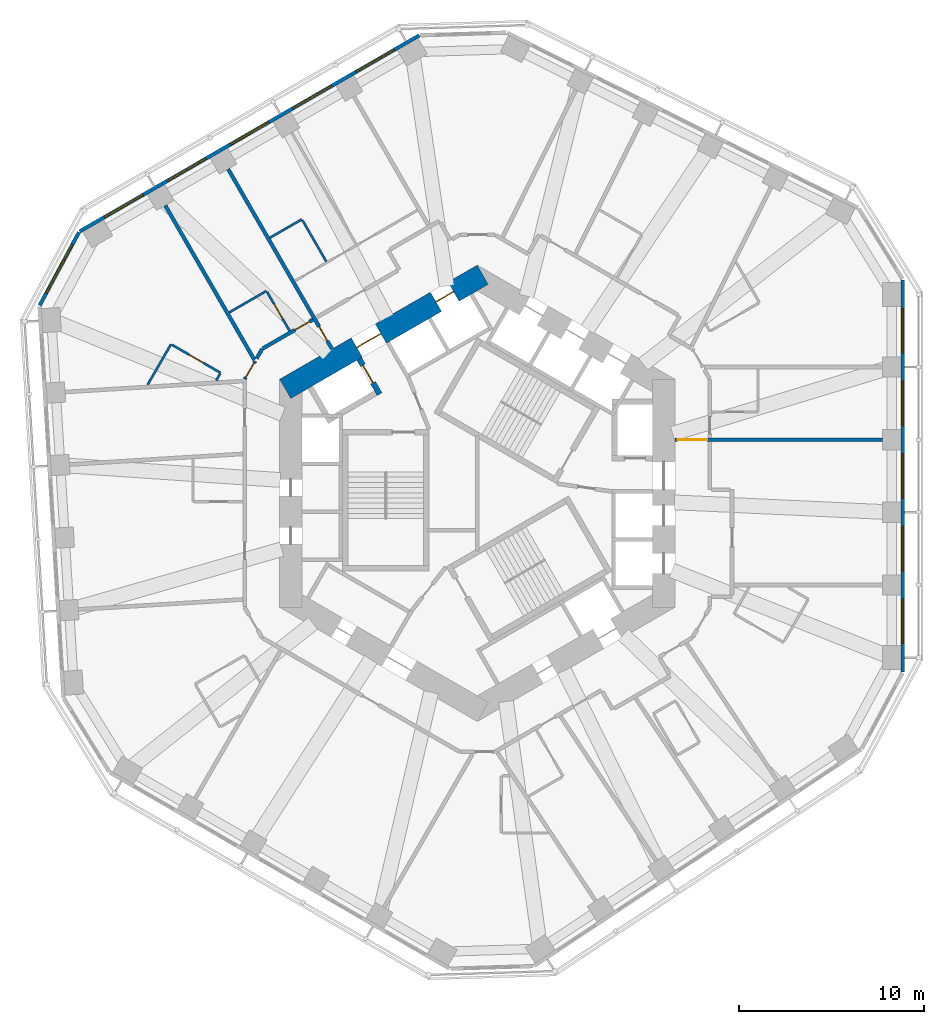
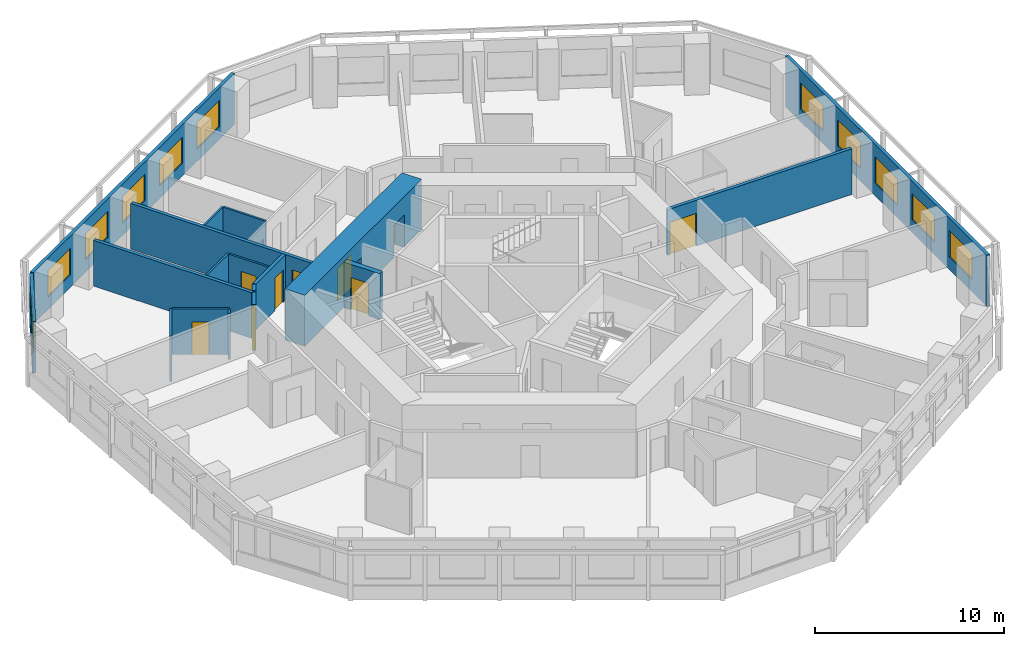
# One storey, part 7 of 12: 18 walls, 11 windows, 9 doors, 20 openings.
"""IFC4 building model written with IfcOpenShell, lengths in metres."""

from ifc_helpers import new_model, si_unit, direction, frame, frame_2d, origin, place, context, subcontext, project, spatial, rectangle, extrude, material, layer, layer_set, type_object, element, fill, save


model = new_model("IFC4")

# Units and contexts
model_context = context("Model", 3, precision=1e-05, world=origin(), true_north=direction((0.0, 1.0)))
body_context = subcontext(model_context, "Body", "Model", "MODEL_VIEW")
ifc_project = project(units=[si_unit("LENGTHUNIT", "METRE"), si_unit("AREAUNIT", "SQUARE_METRE"), si_unit("VOLUMEUNIT", "CUBIC_METRE"), si_unit("PLANEANGLEUNIT", "RADIAN"), si_unit("MASSUNIT", "GRAM", prefix="KILO")], contexts=[model_context])

# Site, building, storey
site_placement = place(None, origin())
site = spatial("IfcSite", under=ifc_project, at=site_placement, CompositionType="ELEMENT")
building_placement = place(site_placement, origin())
building = spatial("IfcBuilding", under=site, at=building_placement, Name="Vanh Sen Convention Tower", CompositionType="ELEMENT")
storey_placement = place(building_placement, frame((0.0, 0.0, 116.60009765625)))
storey = spatial("IfcBuildingStorey", under=building, at=storey_placement, Name="L28", CompositionType="ELEMENT", Elevation=116.60009765625)

# Wall
ifc_material_1 = material(Name="Moisture-resistant gypsum board on steel studs", Category="steel")
ifc_layer_1 = layer(ifc_material_1, 0.1201171875)
ifc_layer_set_1 = layer_set([ifc_layer_1], Name="Moisture-resistant gypsum board on steel studs")
wall_type_1 = type_object("IfcWallType", Name="Bathroom partition 120", PredefinedType="PARTITIONING", material=ifc_layer_set_1)
wall_1_placement = place(storey_placement, frame((-17.849365234375, 5.885498046875, 0.0), z_axis=(0.0, 0.0, 1.0), x_axis=(0.500034589094, 0.866005432841, 0.0)))
element("IfcWall", 1, at=wall_1_placement, inside=storey, type_object=wall_type_1, Name="Bathroom partition 120", PredefinedType="PARTITIONING", context=body_context, shape_type="SweptSolid", body=[
    extrude(rectangle(XDim=2.527587890625, YDim=0.1201171875, at=frame_2d((1.263671875, 0.0))), origin(), (0.0, 0.0, 1.0), 2.949951171875),
])

# Wall, opening, door
wall_2_placement = place(storey_placement, frame((-16.533447265625, 8.04443359375, 0.0), z_axis=(0.0, 0.0, 1.0), x_axis=(0.86601037836, -0.500026023896, 0.0)))
wall_2 = element("IfcWall", 2, at=wall_2_placement, inside=storey, type_object=wall_type_1, Name="Bathroom partition 120", PredefinedType="PARTITIONING", context=body_context, shape_type="SweptSolid", body=[
    extrude(rectangle(XDim=3.039794921875, YDim=0.1201171875, at=frame_2d((1.52001953125, 0.0))), origin(), (0.0, 0.0, 1.0), 2.949951171875),
])
opening_1_placement = place(wall_2_placement, frame((1.070068359375, 0.0, 0.0)))
opening_1 = element("IfcOpeningElement", 3, at=opening_1_placement, cuts=wall_2, Name="Opening D27117", PredefinedType="OPENING", context=body_context, shape_type="SweptSolid", body=[
    extrude(rectangle(XDim=0.89990234375, YDim=2.10009765625, at=frame_2d((0.449951171875, 1.050048828125))), frame((0.0, 0.070068359375, 0.0), z_axis=(0.0, -1.0, 0.0), x_axis=(1.0, 0.0, 0.0)), (0.0, 0.0, 1.0), 0.14013671875),
])
ifc_material_2 = material(Name="Laminate door in steel frame", Category="steel")
door_type_1 = type_object("IfcDoorType", Name="En-suite door 900", OperationType="SINGLE_SWING_LEFT", PredefinedType="DOOR", material=ifc_material_2)
door_1_placement = place(opening_1_placement, origin())
door_1 = element("IfcDoor", 4, at=door_1_placement, inside=storey, type_object=door_type_1, Name="En-suite door D27117", OperationType="SINGLE_SWING_LEFT", OverallHeight=2.10009765625, OverallWidth=0.89990234375, PredefinedType="DOOR", context=body_context, shape_type="SweptSolid", body=[
    extrude(rectangle(XDim=0.89990234375, YDim=2.10009765625, at=frame_2d((0.449951171875, 1.050048828125))), frame((0.0, 0.02490234375, 0.0), z_axis=(0.0, -1.0, 0.0), x_axis=(1.0, 0.0, 0.0)), (0.0, 0.0, 1.0), 0.050048828125),
])
fill(opening_1, door_1)

# Walls
wall_3_placement = place(storey_placement, frame((-13.930908203125, 6.472412109375, 0.0), z_axis=(0.0, 0.0, 1.0), x_axis=(-0.499739399214, -0.866175809448, 0.0)))
element("IfcWall", 5, at=wall_3_placement, inside=storey, type_object=wall_type_1, Name="Bathroom partition 120", PredefinedType="PARTITIONING", context=body_context, shape_type="SweptSolid", body=[
    extrude(rectangle(XDim=0.415771484375, YDim=0.1201171875, at=frame_2d((0.2080078125, 0.0))), origin(), (0.0, 0.0, 1.0), 2.949951171875),
])
wall_4_placement = place(storey_placement, frame((-13.436279296875, 9.7939453125, 0.0), z_axis=(0.0, 0.0, 1.0), x_axis=(0.866053246676, 0.499951771596, 0.0)))
element("IfcWall", 6, at=wall_4_placement, inside=storey, type_object=wall_type_1, Name="Bathroom partition 120", PredefinedType="PARTITIONING", context=body_context, shape_type="SweptSolid", body=[
    extrude(rectangle(XDim=2.334716796875, YDim=0.1201171875, at=frame_2d((1.16748046875, 0.0))), origin(), (0.0, 0.0, 1.0), 2.949951171875),
])

# Wall, opening, door
wall_5_placement = place(storey_placement, frame((-11.384521484375, 10.9091796875, 0.0), z_axis=(0.0, 0.0, 1.0), x_axis=(0.500077547548, -0.865980627057, 0.0)))
wall_5 = element("IfcWall", 7, at=wall_5_placement, inside=storey, type_object=wall_type_1, Name="Bathroom partition 120", PredefinedType="PARTITIONING", context=body_context, shape_type="SweptSolid", body=[
    extrude(rectangle(XDim=2.43994140625, YDim=0.1201171875, at=frame_2d((1.219970703125, 0.0))), origin(), (0.0, 0.0, 1.0), 2.949951171875),
])
opening_2_placement = place(wall_5_placement, frame((0.77001953125, 0.0, 0.0)))
opening_2 = element("IfcOpeningElement", 8, at=opening_2_placement, cuts=wall_5, Name="Opening D27115", PredefinedType="OPENING", context=body_context, shape_type="SweptSolid", body=[
    extrude(rectangle(XDim=0.89990234375, YDim=2.10009765625, at=frame_2d((0.449951171875, 1.050048828125))), frame((0.0, 0.070068359375, 0.0), z_axis=(0.0, -1.0, 0.0), x_axis=(1.0, 0.0, 0.0)), (0.0, 0.0, 1.0), 0.14013671875),
])
door_2_placement = place(opening_2_placement, origin())
door_2 = element("IfcDoor", 9, at=door_2_placement, inside=storey, type_object=door_type_1, Name="En-suite door D27115", OperationType="SINGLE_SWING_LEFT", OverallHeight=2.10009765625, OverallWidth=0.89990234375, PredefinedType="DOOR", context=body_context, shape_type="SweptSolid", body=[
    extrude(rectangle(XDim=0.89990234375, YDim=2.10009765625, at=frame_2d((0.449951171875, 1.050048828125))), frame((0.0, 0.02490234375, 0.0), z_axis=(0.0, -1.0, 0.0), x_axis=(1.0, 0.0, 0.0)), (0.0, 0.0, 1.0), 0.050048828125),
])
fill(opening_2, door_2)

# Walls
wall_6_placement = place(storey_placement, frame((-9.49658203125, 14.83984375, 0.0), z_axis=(0.0, 0.0, 1.0), x_axis=(-0.866041268327, -0.499972520799, 0.0)))
element("IfcWall", 10, at=wall_6_placement, inside=storey, type_object=wall_type_1, Name="Bathroom partition 120", PredefinedType="PARTITIONING", context=body_context, shape_type="SweptSolid", body=[
    extrude(rectangle(XDim=2.0, YDim=0.1201171875, at=frame_2d((1.0, 0.0))), origin(), (0.0, 0.0, 1.0), 2.949951171875),
])
wall_7_placement = place(storey_placement, frame((-8.1767578125, 12.553466796875, 0.0), z_axis=(0.0, 0.0, 1.0), x_axis=(-0.500006411147, 0.866021702275, 0.0)))
element("IfcWall", 11, at=wall_7_placement, inside=storey, type_object=wall_type_1, Name="Bathroom partition 120", PredefinedType="PARTITIONING", context=body_context, shape_type="SweptSolid", body=[
    extrude(rectangle(XDim=2.580078125, YDim=0.1201171875, at=frame_2d((1.2900390625, 0.0))), origin(), (0.0, 0.0, 1.0), 2.949951171875),
])

# Wall, openings, doors
ifc_material_3 = material(Name="Concrete C80/95", Category="concrete")
ifc_layer_2 = layer(ifc_material_3, 1.199951171875)
ifc_layer_set_2 = layer_set([ifc_layer_2], Name="Concrete C80/95")
wall_type_2 = type_object("IfcWallType", Name="Core outer wall 1200 C80/95", PredefinedType="SHEAR", material=ifc_layer_set_2)
wall_8_placement = place(storey_placement, frame((0.300048828125, 11.835693359375, 0.0), z_axis=(0.0, 0.0, 1.0), x_axis=(-0.866021384402, -0.500006961711, 0.0)))
wall_8 = element("IfcWall", 12, at=wall_8_placement, inside=storey, type_object=wall_type_2, Name="Core wall face NW L28", PredefinedType="SHEAR", context=body_context, shape_type="SweptSolid", body=[
    extrude(rectangle(XDim=12.355224609375, YDim=1.199951171875, at=frame_2d((6.177734375, 0.0))), origin(), (0.0, 0.0, 1.0), 3.2998046875),
])
opening_3_placement = place(wall_8_placement, frame((6.377685546875, 0.0, 0.0)))
opening_3 = element("IfcOpeningElement", 13, at=opening_3_placement, cuts=wall_8, Name="Opening D27002", PredefinedType="OPENING", context=body_context, shape_type="SweptSolid", body=[
    extrude(rectangle(XDim=1.5, YDim=2.10009765625, at=frame_2d((0.75, 1.050048828125))), frame((0.0, 0.60986328125, 0.0), z_axis=(0.0, -1.0, 0.0), x_axis=(1.0, 0.0, 0.0)), (0.0, 0.0, 1.0), 1.219970703125),
])
opening_4_placement = place(wall_8_placement, frame((1.82763671875, 0.0, 0.0)))
opening_4 = element("IfcOpeningElement", 14, at=opening_4_placement, cuts=wall_8, Name="Opening LD-LR6", PredefinedType="OPENING", context=body_context, shape_type="SweptSolid", body=[
    extrude(rectangle(XDim=1.10009765625, YDim=2.10009765625, at=frame_2d((0.550048828125, 1.050048828125))), frame((0.0, 0.60986328125, 0.0), z_axis=(0.0, -1.0, 0.0), x_axis=(1.0, 0.0, 0.0)), (0.0, 0.0, 1.0), 1.219970703125),
])
ifc_material_4 = material(Name="Stainless steel", Category="steel")
door_type_2 = type_object("IfcDoorType", Name="Lift landing door 1100", OperationType="DOUBLE_DOOR_SLIDING", PredefinedType="DOOR", material=ifc_material_4)
door_3_placement = place(opening_4_placement, origin())
door_3 = element("IfcDoor", 15, at=door_3_placement, inside=storey, type_object=door_type_2, Name="Lift LR6 landing door LD-LR6", OperationType="DOUBLE_DOOR_SLIDING", OverallHeight=2.10009765625, OverallWidth=1.10009765625, PredefinedType="DOOR", context=body_context, shape_type="SweptSolid", body=[
    extrude(rectangle(XDim=1.10009765625, YDim=2.10009765625, at=frame_2d((0.550048828125, 1.050048828125))), frame((0.0, 0.02490234375, 0.0), z_axis=(0.0, -1.0, 0.0), x_axis=(1.0, 0.0, 0.0)), (0.0, 0.0, 1.0), 0.050048828125),
])
fill(opening_4, door_3)
ifc_material_5 = material(Name="Steel S355", Category="steel")
door_type_3 = type_object("IfcDoorType", Name="Stair lobby door 1500", OperationType="DOUBLE_DOOR_SINGLE_SWING", PredefinedType="DOOR", material=ifc_material_5)
door_4_placement = place(opening_3_placement, origin())
door_4 = element("IfcDoor", 16, at=door_4_placement, inside=storey, type_object=door_type_3, Name="Stair lobby door D27002", OperationType="DOUBLE_DOOR_SINGLE_SWING", OverallHeight=2.10009765625, OverallWidth=1.5, PredefinedType="DOOR", context=body_context, shape_type="SweptSolid", body=[
    extrude(rectangle(XDim=1.5, YDim=2.10009765625, at=frame_2d((0.75, 1.050048828125))), frame((0.0, 0.02490234375, 0.0), z_axis=(0.0, -1.0, 0.0), x_axis=(1.0, 0.0, 0.0)), (0.0, 0.0, 1.0), 0.050048828125),
])
fill(opening_3, door_4)

# Wall, opening, door
ifc_material_6 = material(Name="Gypsum board on steel studs with mineral wool", Category="steel")
ifc_layer_3 = layer(ifc_material_6, 0.199951171875)
ifc_layer_set_3 = layer_set([ifc_layer_3], Name="Gypsum board on steel studs with mineral wool")
wall_type_3 = type_object("IfcWallType", Name="Corridor partition wall 200", PredefinedType="PARTITIONING", material=ifc_layer_set_3)
wall_9_placement = place(storey_placement, frame((-12.031982421875, 7.16162109375, 0.0), z_axis=(0.0, 0.0, 1.0), x_axis=(-0.499951829968, -0.866053212979, 0.0)))
wall_9 = element("IfcWall", 17, at=wall_9_placement, inside=storey, type_object=wall_type_3, Name="Corridor partition wall 200", PredefinedType="PARTITIONING", context=body_context, shape_type="SweptSolid", body=[
    extrude(rectangle(XDim=1.13623046875, YDim=0.199951171875, at=frame_2d((0.568115234375, 0.0))), origin(), (0.0, 0.0, 1.0), 2.949951171875),
])
opening_5_placement = place(wall_9_placement, frame((0.1181640625, 0.0, 0.0)))
opening_5 = element("IfcOpeningElement", 18, at=opening_5_placement, cuts=wall_9, Name="Opening D27116", PredefinedType="OPENING", context=body_context, shape_type="SweptSolid", body=[
    extrude(rectangle(XDim=0.89990234375, YDim=2.10009765625, at=frame_2d((0.449951171875, 1.050048828125))), frame((0.0, 0.10986328125, 0.0), z_axis=(0.0, -1.0, 0.0), x_axis=(1.0, 0.0, 0.0)), (0.0, 0.0, 1.0), 0.219970703125),
])
ifc_material_7 = material(Name="Timber fire door in steel frame", Category="steel")
door_type_4 = type_object("IfcDoorType", Name="Guest room door 900", OperationType="SINGLE_SWING_LEFT", PredefinedType="DOOR", material=ifc_material_7)
door_5_placement = place(opening_5_placement, origin())
door_5 = element("IfcDoor", 19, at=door_5_placement, inside=storey, type_object=door_type_4, Name="Hotel guest room door D27116", OperationType="SINGLE_SWING_LEFT", OverallHeight=2.10009765625, OverallWidth=0.89990234375, PredefinedType="DOOR", context=body_context, shape_type="SweptSolid", body=[
    extrude(rectangle(XDim=0.89990234375, YDim=2.10009765625, at=frame_2d((0.449951171875, 1.050048828125))), frame((0.0, 0.02490234375, 0.0), z_axis=(0.0, -1.0, 0.0), x_axis=(1.0, 0.0, 0.0)), (0.0, 0.0, 1.0), 0.050048828125),
])
fill(opening_5, door_5)

# Wall
wall_10_placement = place(storey_placement, frame((-11.64990234375, 7.822998046875, 0.0), z_axis=(0.0, 0.0, 1.0), x_axis=(-0.50012165622, -0.865955154139, 0.0)))
element("IfcWall", 20, at=wall_10_placement, inside=storey, type_object=wall_type_3, Name="Corridor partition wall 200", PredefinedType="PARTITIONING", context=body_context, shape_type="SweptSolid", body=[
    extrude(rectangle(XDim=0.599853515625, YDim=0.199951171875, at=frame_2d((0.2998046875, 0.0))), origin(), (0.0, 0.0, 1.0), 2.949951171875),
])

# Wall, opening, door
wall_11_placement = place(storey_placement, frame((-8.902099609375, 9.40966796875, 0.0), z_axis=(0.0, 0.0, 1.0), x_axis=(-0.866014299198, -0.500019233215, 0.0)))
wall_11 = element("IfcWall", 21, at=wall_11_placement, inside=storey, type_object=wall_type_3, Name="Corridor partition wall 200", PredefinedType="PARTITIONING", context=body_context, shape_type="SweptSolid", body=[
    extrude(rectangle(XDim=3.13330078125, YDim=0.199951171875, at=frame_2d((1.566650390625, 0.0))), origin(), (0.0, 0.0, 1.0), 2.949951171875),
])
opening_6_placement = place(wall_11_placement, frame((0.22509765625, 0.0, 0.0)))
opening_6 = element("IfcOpeningElement", 22, at=opening_6_placement, cuts=wall_11, Name="Opening D27114", PredefinedType="OPENING", context=body_context, shape_type="SweptSolid", body=[
    extrude(rectangle(XDim=0.89990234375, YDim=2.10009765625, at=frame_2d((0.449951171875, 1.050048828125))), frame((0.0, 0.10986328125, 0.0), z_axis=(0.0, -1.0, 0.0), x_axis=(1.0, 0.0, 0.0)), (0.0, 0.0, 1.0), 0.219970703125),
])
door_6_placement = place(opening_6_placement, origin())
door_6 = element("IfcDoor", 23, at=door_6_placement, inside=storey, type_object=door_type_4, Name="Hotel guest room door D27114", OperationType="SINGLE_SWING_LEFT", OverallHeight=2.10009765625, OverallWidth=0.89990234375, PredefinedType="DOOR", context=body_context, shape_type="SweptSolid", body=[
    extrude(rectangle(XDim=0.89990234375, YDim=2.10009765625, at=frame_2d((0.449951171875, 1.050048828125))), frame((0.0, 0.02490234375, 0.0), z_axis=(0.0, -1.0, 0.0), x_axis=(1.0, 0.0, 0.0)), (0.0, 0.0, 1.0), 0.050048828125),
])
fill(opening_6, door_6)

# Wall, openings, windows
ifc_material_8 = material(Name="Insulated lightweight infill wall")
ifc_layer_4 = layer(ifc_material_8, 0.199951171875)
ifc_layer_set_4 = layer_set([ifc_layer_4], Name="Insulated lightweight infill wall")
wall_type_4 = type_object("IfcWallType", Name="External wall 200", PredefinedType="STANDARD", material=ifc_layer_set_4)
wall_12_placement = place(storey_placement, frame((23.050048828125, -9.6865234375, 0.0), z_axis=(0.0, 0.0, 1.0), x_axis=(0.0, 1.0, 0.0)))
wall_12 = element("IfcWall", 24, at=wall_12_placement, inside=storey, type_object=wall_type_4, Name="External wall E L28", PredefinedType="STANDARD", context=body_context, shape_type="SweptSolid", body=[
    extrude(rectangle(XDim=21.24609375, YDim=0.199951171875, at=frame_2d((10.623046875, 0.0))), origin(), (0.0, 0.0, 1.0), 3.2998046875),
])
opening_7_placement = place(wall_12_placement, frame((1.5546875, 0.0, 0.800048828125)))
opening_7 = element("IfcOpeningElement", 25, at=opening_7_placement, cuts=wall_12, Name="Opening WH1-E1", PredefinedType="OPENING", context=body_context, shape_type="SweptSolid", body=[
    extrude(rectangle(XDim=2.39990234375, YDim=1.699951171875, at=frame_2d((1.199951171875, 0.85009765625))), frame((0.0, 0.10986328125, 0.0), z_axis=(0.0, -1.0, 0.0), x_axis=(1.0, 0.0, 0.0)), (0.0, 0.0, 1.0), 0.219970703125),
])
opening_8_placement = place(wall_12_placement, frame((5.4892578125, 0.0, 0.800048828125)))
opening_8 = element("IfcOpeningElement", 26, at=opening_8_placement, cuts=wall_12, Name="Opening WH1-E2", PredefinedType="OPENING", context=body_context, shape_type="SweptSolid", body=[
    extrude(rectangle(XDim=2.39990234375, YDim=1.699951171875, at=frame_2d((1.199951171875, 0.85009765625))), frame((0.0, 0.10986328125, 0.0), z_axis=(0.0, -1.0, 0.0), x_axis=(1.0, 0.0, 0.0)), (0.0, 0.0, 1.0), 0.219970703125),
])
opening_9_placement = place(wall_12_placement, frame((9.423828125, 0.0, 0.800048828125)))
opening_9 = element("IfcOpeningElement", 27, at=opening_9_placement, cuts=wall_12, Name="Opening WH1-E3", PredefinedType="OPENING", context=body_context, shape_type="SweptSolid", body=[
    extrude(rectangle(XDim=2.39990234375, YDim=1.699951171875, at=frame_2d((1.199951171875, 0.85009765625))), frame((0.0, 0.10986328125, 0.0), z_axis=(0.0, -1.0, 0.0), x_axis=(1.0, 0.0, 0.0)), (0.0, 0.0, 1.0), 0.219970703125),
])
opening_10_placement = place(wall_12_placement, frame((13.3583984375, 0.0, 0.800048828125)))
opening_10 = element("IfcOpeningElement", 28, at=opening_10_placement, cuts=wall_12, Name="Opening WH1-E4", PredefinedType="OPENING", context=body_context, shape_type="SweptSolid", body=[
    extrude(rectangle(XDim=2.39990234375, YDim=1.699951171875, at=frame_2d((1.199951171875, 0.85009765625))), frame((0.0, 0.10986328125, 0.0), z_axis=(0.0, -1.0, 0.0), x_axis=(1.0, 0.0, 0.0)), (0.0, 0.0, 1.0), 0.219970703125),
])
opening_11_placement = place(wall_12_placement, frame((17.29296875, 0.0, 0.800048828125)))
opening_11 = element("IfcOpeningElement", 29, at=opening_11_placement, cuts=wall_12, Name="Opening WH1-E5", PredefinedType="OPENING", context=body_context, shape_type="SweptSolid", body=[
    extrude(rectangle(XDim=2.39990234375, YDim=1.699951171875, at=frame_2d((1.199951171875, 0.85009765625))), frame((0.0, 0.10986328125, 0.0), z_axis=(0.0, -1.0, 0.0), x_axis=(1.0, 0.0, 0.0)), (0.0, 0.0, 1.0), 0.219970703125),
])
ifc_material_9 = material(Name="Aluminium frame with clear low-emissivity glass", Category="aluminium")
window_type_1 = type_object("IfcWindowType", Name="Hotel window 2400 x 1700", PartitioningType="SINGLE_PANEL", PredefinedType="WINDOW", material=ifc_material_9)
window_1_placement = place(opening_7_placement, origin())
window_1 = element("IfcWindow", 30, at=window_1_placement, inside=storey, type_object=window_type_1, Name="Window WH1-E1", OverallHeight=1.699951171875, OverallWidth=2.39990234375, PartitioningType="SINGLE_PANEL", PredefinedType="WINDOW", context=body_context, shape_type="SweptSolid", body=[
    extrude(rectangle(XDim=2.39990234375, YDim=1.699951171875, at=frame_2d((1.199951171875, 0.85009765625))), frame((0.0, 0.030029296875, 0.0), z_axis=(0.0, -1.0, 0.0), x_axis=(1.0, 0.0, 0.0)), (0.0, 0.0, 1.0), 0.06005859375),
])
fill(opening_7, window_1)
window_2_placement = place(opening_8_placement, origin())
window_2 = element("IfcWindow", 31, at=window_2_placement, inside=storey, type_object=window_type_1, Name="Window WH1-E2", OverallHeight=1.699951171875, OverallWidth=2.39990234375, PartitioningType="SINGLE_PANEL", PredefinedType="WINDOW", context=body_context, shape_type="SweptSolid", body=[
    extrude(rectangle(XDim=2.39990234375, YDim=1.699951171875, at=frame_2d((1.199951171875, 0.85009765625))), frame((0.0, 0.030029296875, 0.0), z_axis=(0.0, -1.0, 0.0), x_axis=(1.0, 0.0, 0.0)), (0.0, 0.0, 1.0), 0.06005859375),
])
fill(opening_8, window_2)
window_3_placement = place(opening_9_placement, origin())
window_3 = element("IfcWindow", 32, at=window_3_placement, inside=storey, type_object=window_type_1, Name="Window WH1-E3", OverallHeight=1.699951171875, OverallWidth=2.39990234375, PartitioningType="SINGLE_PANEL", PredefinedType="WINDOW", context=body_context, shape_type="SweptSolid", body=[
    extrude(rectangle(XDim=2.39990234375, YDim=1.699951171875, at=frame_2d((1.199951171875, 0.85009765625))), frame((0.0, 0.030029296875, 0.0), z_axis=(0.0, -1.0, 0.0), x_axis=(1.0, 0.0, 0.0)), (0.0, 0.0, 1.0), 0.06005859375),
])
fill(opening_9, window_3)
window_4_placement = place(opening_10_placement, origin())
window_4 = element("IfcWindow", 33, at=window_4_placement, inside=storey, type_object=window_type_1, Name="Window WH1-E4", OverallHeight=1.699951171875, OverallWidth=2.39990234375, PartitioningType="SINGLE_PANEL", PredefinedType="WINDOW", context=body_context, shape_type="SweptSolid", body=[
    extrude(rectangle(XDim=2.39990234375, YDim=1.699951171875, at=frame_2d((1.199951171875, 0.85009765625))), frame((0.0, 0.030029296875, 0.0), z_axis=(0.0, -1.0, 0.0), x_axis=(1.0, 0.0, 0.0)), (0.0, 0.0, 1.0), 0.06005859375),
])
fill(opening_10, window_4)
window_5_placement = place(opening_11_placement, origin())
window_5 = element("IfcWindow", 34, at=window_5_placement, inside=storey, type_object=window_type_1, Name="Window WH1-E5", OverallHeight=1.699951171875, OverallWidth=2.39990234375, PartitioningType="SINGLE_PANEL", PredefinedType="WINDOW", context=body_context, shape_type="SweptSolid", body=[
    extrude(rectangle(XDim=2.39990234375, YDim=1.699951171875, at=frame_2d((1.199951171875, 0.85009765625))), frame((0.0, 0.030029296875, 0.0), z_axis=(0.0, -1.0, 0.0), x_axis=(1.0, 0.0, 0.0)), (0.0, 0.0, 1.0), 0.06005859375),
])
fill(opening_11, window_5)

wall_13_placement = place(storey_placement, frame((-3.135986328125, 24.80517578125, 0.0), z_axis=(0.0, 0.0, 1.0), x_axis=(-0.866028291626, -0.499994998079, 0.0)))
wall_13 = element("IfcWall", 35, at=wall_13_placement, inside=storey, type_object=wall_type_4, Name="External wall NW L28", PredefinedType="STANDARD", context=body_context, shape_type="SweptSolid", body=[
    extrude(rectangle(XDim=21.246337890625, YDim=0.199951171875, at=frame_2d((10.623046875, 0.0))), origin(), (0.0, 0.0, 1.0), 3.2998046875),
])
opening_12_placement = place(wall_13_placement, frame((1.5546875, 0.0, 0.800048828125)))
opening_12 = element("IfcOpeningElement", 36, at=opening_12_placement, cuts=wall_13, Name="Opening WH1-NW1", PredefinedType="OPENING", context=body_context, shape_type="SweptSolid", body=[
    extrude(rectangle(XDim=2.39990234375, YDim=1.699951171875, at=frame_2d((1.199951171875, 0.85009765625))), frame((0.0, 0.10986328125, 0.0), z_axis=(0.0, -1.0, 0.0), x_axis=(1.0, 0.0, 0.0)), (0.0, 0.0, 1.0), 0.219970703125),
])
opening_13_placement = place(wall_13_placement, frame((5.4892578125, 0.0, 0.800048828125)))
opening_13 = element("IfcOpeningElement", 37, at=opening_13_placement, cuts=wall_13, Name="Opening WH1-NW2", PredefinedType="OPENING", context=body_context, shape_type="SweptSolid", body=[
    extrude(rectangle(XDim=2.39990234375, YDim=1.699951171875, at=frame_2d((1.199951171875, 0.85009765625))), frame((0.0, 0.10986328125, 0.0), z_axis=(0.0, -1.0, 0.0), x_axis=(1.0, 0.0, 0.0)), (0.0, 0.0, 1.0), 0.219970703125),
])
opening_14_placement = place(wall_13_placement, frame((9.423828125, 0.0, 0.800048828125)))
opening_14 = element("IfcOpeningElement", 38, at=opening_14_placement, cuts=wall_13, Name="Opening WH1-NW3", PredefinedType="OPENING", context=body_context, shape_type="SweptSolid", body=[
    extrude(rectangle(XDim=2.39990234375, YDim=1.699951171875, at=frame_2d((1.199951171875, 0.85009765625))), frame((0.0, 0.10986328125, 0.0), z_axis=(0.0, -1.0, 0.0), x_axis=(1.0, 0.0, 0.0)), (0.0, 0.0, 1.0), 0.219970703125),
])
opening_15_placement = place(wall_13_placement, frame((13.3583984375, 0.0, 0.800048828125)))
opening_15 = element("IfcOpeningElement", 39, at=opening_15_placement, cuts=wall_13, Name="Opening WH1-NW4", PredefinedType="OPENING", context=body_context, shape_type="SweptSolid", body=[
    extrude(rectangle(XDim=2.39990234375, YDim=1.699951171875, at=frame_2d((1.199951171875, 0.85009765625))), frame((0.0, 0.10986328125, 0.0), z_axis=(0.0, -1.0, 0.0), x_axis=(1.0, 0.0, 0.0)), (0.0, 0.0, 1.0), 0.219970703125),
])
opening_16_placement = place(wall_13_placement, frame((17.293212890625, 0.0, 0.800048828125)))
opening_16 = element("IfcOpeningElement", 40, at=opening_16_placement, cuts=wall_13, Name="Opening WH1-NW5", PredefinedType="OPENING", context=body_context, shape_type="SweptSolid", body=[
    extrude(rectangle(XDim=2.39990234375, YDim=1.699951171875, at=frame_2d((1.199951171875, 0.85009765625))), frame((0.0, 0.10986328125, 0.0), z_axis=(0.0, -1.0, 0.0), x_axis=(1.0, 0.0, 0.0)), (0.0, 0.0, 1.0), 0.219970703125),
])
window_6_placement = place(opening_12_placement, origin())
window_6 = element("IfcWindow", 41, at=window_6_placement, inside=storey, type_object=window_type_1, Name="Window WH1-NW1", OverallHeight=1.699951171875, OverallWidth=2.39990234375, PartitioningType="SINGLE_PANEL", PredefinedType="WINDOW", context=body_context, shape_type="SweptSolid", body=[
    extrude(rectangle(XDim=2.39990234375, YDim=1.699951171875, at=frame_2d((1.199951171875, 0.85009765625))), frame((0.0, 0.030029296875, 0.0), z_axis=(0.0, -1.0, 0.0), x_axis=(1.0, 0.0, 0.0)), (0.0, 0.0, 1.0), 0.06005859375),
])
fill(opening_12, window_6)
window_7_placement = place(opening_13_placement, origin())
window_7 = element("IfcWindow", 42, at=window_7_placement, inside=storey, type_object=window_type_1, Name="Window WH1-NW2", OverallHeight=1.699951171875, OverallWidth=2.39990234375, PartitioningType="SINGLE_PANEL", PredefinedType="WINDOW", context=body_context, shape_type="SweptSolid", body=[
    extrude(rectangle(XDim=2.39990234375, YDim=1.699951171875, at=frame_2d((1.199951171875, 0.85009765625))), frame((0.0, 0.030029296875, 0.0), z_axis=(0.0, -1.0, 0.0), x_axis=(1.0, 0.0, 0.0)), (0.0, 0.0, 1.0), 0.06005859375),
])
fill(opening_13, window_7)
window_8_placement = place(opening_14_placement, origin())
window_8 = element("IfcWindow", 43, at=window_8_placement, inside=storey, type_object=window_type_1, Name="Window WH1-NW3", OverallHeight=1.699951171875, OverallWidth=2.39990234375, PartitioningType="SINGLE_PANEL", PredefinedType="WINDOW", context=body_context, shape_type="SweptSolid", body=[
    extrude(rectangle(XDim=2.39990234375, YDim=1.699951171875, at=frame_2d((1.199951171875, 0.85009765625))), frame((0.0, 0.030029296875, 0.0), z_axis=(0.0, -1.0, 0.0), x_axis=(1.0, 0.0, 0.0)), (0.0, 0.0, 1.0), 0.06005859375),
])
fill(opening_14, window_8)
window_9_placement = place(opening_15_placement, origin())
window_9 = element("IfcWindow", 44, at=window_9_placement, inside=storey, type_object=window_type_1, Name="Window WH1-NW4", OverallHeight=1.699951171875, OverallWidth=2.39990234375, PartitioningType="SINGLE_PANEL", PredefinedType="WINDOW", context=body_context, shape_type="SweptSolid", body=[
    extrude(rectangle(XDim=2.39990234375, YDim=1.699951171875, at=frame_2d((1.199951171875, 0.85009765625))), frame((0.0, 0.030029296875, 0.0), z_axis=(0.0, -1.0, 0.0), x_axis=(1.0, 0.0, 0.0)), (0.0, 0.0, 1.0), 0.06005859375),
])
fill(opening_15, window_9)
window_10_placement = place(opening_16_placement, origin())
window_10 = element("IfcWindow", 45, at=window_10_placement, inside=storey, type_object=window_type_1, Name="Window WH1-NW5", OverallHeight=1.699951171875, OverallWidth=2.39990234375, PartitioningType="SINGLE_PANEL", PredefinedType="WINDOW", context=body_context, shape_type="SweptSolid", body=[
    extrude(rectangle(XDim=2.39990234375, YDim=1.699951171875, at=frame_2d((1.199951171875, 0.85009765625))), frame((0.0, 0.030029296875, 0.0), z_axis=(0.0, -1.0, 0.0), x_axis=(1.0, 0.0, 0.0)), (0.0, 0.0, 1.0), 0.06005859375),
])
fill(opening_16, window_10)

# Wall, opening, window
wall_14_placement = place(storey_placement, frame((-21.573974609375, 14.142822265625, 0.0), z_axis=(0.0, 0.0, 1.0), x_axis=(-0.473292949472, -0.880905093628, 0.0)))
wall_14 = element("IfcWall", 46, at=wall_14_placement, inside=storey, type_object=wall_type_4, Name="External wall CH3 L28", PredefinedType="STANDARD", context=body_context, shape_type="SweptSolid", body=[
    extrude(rectangle(XDim=4.493896484375, YDim=0.199951171875, at=frame_2d((2.2470703125, 0.0))), origin(), (0.0, 0.0, 1.0), 3.2998046875),
])
opening_17_placement = place(wall_14_placement, frame((0.746826171875, 0.0, 0.800048828125)))
opening_17 = element("IfcOpeningElement", 47, at=opening_17_placement, cuts=wall_14, Name="Opening WH2-CH31", PredefinedType="OPENING", context=body_context, shape_type="SweptSolid", body=[
    extrude(rectangle(XDim=3.0, YDim=1.699951171875, at=frame_2d((1.5, 0.85009765625))), frame((0.0, 0.10986328125, 0.0), z_axis=(0.0, -1.0, 0.0), x_axis=(1.0, 0.0, 0.0)), (0.0, 0.0, 1.0), 0.219970703125),
])
window_type_2 = type_object("IfcWindowType", Name="Hotel window 3000 x 1700", PartitioningType="SINGLE_PANEL", PredefinedType="WINDOW", material=ifc_material_9)
window_11_placement = place(opening_17_placement, origin())
window_11 = element("IfcWindow", 48, at=window_11_placement, inside=storey, type_object=window_type_2, Name="Window WH2-CH31", OverallHeight=1.699951171875, OverallWidth=3.0, PartitioningType="SINGLE_PANEL", PredefinedType="WINDOW", context=body_context, shape_type="SweptSolid", body=[
    extrude(rectangle(XDim=3.0, YDim=1.699951171875, at=frame_2d((1.5, 0.85009765625))), frame((0.0, 0.030029296875, 0.0), z_axis=(0.0, -1.0, 0.0), x_axis=(1.0, 0.0, 0.0)), (0.0, 0.0, 1.0), 0.06005859375),
])
fill(opening_17, window_11)

# Wall, opening, door
ifc_material_10 = material(Name="Concrete C60/75", Category="concrete")
ifc_layer_5 = layer(ifc_material_10, 0.300048828125)
ifc_layer_set_5 = layer_set([ifc_layer_5], Name="Concrete C60/75")
wall_type_5 = type_object("IfcWallType", Name="Fire-fighting lift shaft wall 300", PredefinedType="SHEAR", material=ifc_layer_set_5)
wall_15_placement = place(storey_placement, frame((-5.29541015625, 5.3720703125, 0.0), z_axis=(0.0, 0.0, 1.0), x_axis=(-0.500077893725, 0.86598042715, 0.0)))
wall_15 = element("IfcWall", 49, at=wall_15_placement, inside=storey, type_object=wall_type_5, Name="Fire-fighting lift shaft wall L28", PredefinedType="SHEAR", context=body_context, shape_type="SweptSolid", body=[
    extrude(rectangle(XDim=2.199951171875, YDim=0.300048828125, at=frame_2d((1.10009765625, 0.0))), origin(), (0.0, 0.0, 1.0), 2.949951171875),
])
opening_18_placement = place(wall_15_placement, frame((0.699951171875, 0.0, 0.0)))
opening_18 = element("IfcOpeningElement", 50, at=opening_18_placement, cuts=wall_15, Name="Opening LD-FF2", PredefinedType="OPENING", context=body_context, shape_type="SweptSolid", body=[
    extrude(rectangle(XDim=1.10009765625, YDim=2.10009765625, at=frame_2d((0.550048828125, 1.050048828125))), frame((0.0, 0.159912109375, 0.0), z_axis=(0.0, -1.0, 0.0), x_axis=(1.0, 0.0, 0.0)), (0.0, 0.0, 1.0), 0.320068359375),
])
door_type_5 = type_object("IfcDoorType", Name="Fire-fighting lift landing door 1100", OperationType="DOUBLE_DOOR_SLIDING", PredefinedType="DOOR", material=ifc_material_4)
door_7_placement = place(opening_18_placement, origin())
door_7 = element("IfcDoor", 51, at=door_7_placement, inside=storey, type_object=door_type_5, Name="Lift FF2 landing door LD-FF2", OperationType="DOUBLE_DOOR_SLIDING", OverallHeight=2.10009765625, OverallWidth=1.10009765625, PredefinedType="DOOR", context=body_context, shape_type="SweptSolid", body=[
    extrude(rectangle(XDim=1.10009765625, YDim=2.10009765625, at=frame_2d((0.550048828125, 1.050048828125))), frame((0.0, 0.02490234375, 0.0), z_axis=(0.0, -1.0, 0.0), x_axis=(1.0, 0.0, 0.0)), (0.0, 0.0, 1.0), 0.050048828125),
])
fill(opening_18, door_7)

# Wall
ifc_layer_6 = layer(ifc_material_6, 0.199951171875)
ifc_layer_set_6 = layer_set([ifc_layer_6], Name="Gypsum board on steel studs with mineral wool")
wall_type_6 = type_object("IfcWallType", Name="Hotel party wall 200", PredefinedType="PARTITIONING", material=ifc_layer_set_6)
wall_16_placement = place(storey_placement, frame((-16.89794921875, 15.589599609375, 0.0), z_axis=(0.0, 0.0, 1.0), x_axis=(0.499994742786, -0.866028439017, 0.0)))
element("IfcWall", 52, at=wall_16_placement, inside=storey, type_object=wall_type_6, Name="Hotel party wall 200", PredefinedType="PARTITIONING", context=body_context, shape_type="SweptSolid", body=[
    extrude(rectangle(XDim=9.64990234375, YDim=0.199951171875, at=frame_2d((4.824951171875, 0.0))), origin(), (0.0, 0.0, 1.0), 2.949951171875),
])

# Wall, opening, door
ifc_material_11 = material(Name="Concrete C20/25", Category="concrete")
ifc_layer_7 = layer(ifc_material_11, 0.199951171875)
ifc_layer_set_7 = layer_set([ifc_layer_7], Name="Concrete C20/25")
wall_type_7 = type_object("IfcWallType", Name="Sub-compartment wall 200", PredefinedType="PARTITIONING", material=ifc_layer_set_7)
wall_17_placement = place(storey_placement, frame((-7.865478515625, 7.814208984375, 0.0), z_axis=(0.0, 0.0, 1.0), x_axis=(-0.500004234368, 0.866022959057, 0.0)))
wall_17 = element("IfcWall", 53, at=wall_17_placement, inside=storey, type_object=wall_type_7, Name="Sub-compartment wall 200", PredefinedType="PARTITIONING", context=body_context, shape_type="SweptSolid", body=[
    extrude(rectangle(XDim=11.25, YDim=0.199951171875, at=frame_2d((5.625, 0.0))), origin(), (0.0, 0.0, 1.0), 2.949951171875),
])
opening_19_placement = place(wall_17_placement, frame((0.5, 0.0, 0.0)))
opening_19 = element("IfcOpeningElement", 54, at=opening_19_placement, cuts=wall_17, Name="Opening D27133", PredefinedType="OPENING", context=body_context, shape_type="SweptSolid", body=[
    extrude(rectangle(XDim=0.89990234375, YDim=2.10009765625, at=frame_2d((0.449951171875, 1.050048828125))), frame((0.0, 0.10986328125, 0.0), z_axis=(0.0, -1.0, 0.0), x_axis=(1.0, 0.0, 0.0)), (0.0, 0.0, 1.0), 0.219970703125),
])
ifc_material_12 = material(Name="Steel S355", Category="steel")
door_type_6 = type_object("IfcDoorType", Name="Corridor fire door 900", OperationType="SINGLE_SWING_LEFT", PredefinedType="DOOR", material=ifc_material_12)
door_8_placement = place(opening_19_placement, origin())
door_8 = element("IfcDoor", 55, at=door_8_placement, inside=storey, type_object=door_type_6, Name="Sub-compartment door D27133", OperationType="SINGLE_SWING_LEFT", OverallHeight=2.10009765625, OverallWidth=0.89990234375, PredefinedType="DOOR", context=body_context, shape_type="SweptSolid", body=[
    extrude(rectangle(XDim=0.89990234375, YDim=2.10009765625, at=frame_2d((0.449951171875, 1.050048828125))), frame((0.0, 0.02490234375, 0.0), z_axis=(0.0, -1.0, 0.0), x_axis=(1.0, 0.0, 0.0)), (0.0, 0.0, 1.0), 0.050048828125),
])
fill(opening_19, door_8)

wall_18_placement = place(storey_placement, frame((21.949951171875, 2.904541015625, 0.0), z_axis=(0.0, 0.0, 1.0), x_axis=(-1.0, 0.0, 0.0)))
wall_18 = element("IfcWall", 56, at=wall_18_placement, inside=storey, type_object=wall_type_7, Name="Sub-compartment wall 200", PredefinedType="PARTITIONING", context=body_context, shape_type="SweptSolid", body=[
    extrude(rectangle(XDim=11.25, YDim=0.199951171875, at=frame_2d((5.625, 0.0))), origin(), (0.0, 0.0, 1.0), 2.949951171875),
])
opening_20_placement = place(wall_18_placement, frame((9.5, 0.0, 0.0)))
opening_20 = element("IfcOpeningElement", 57, at=opening_20_placement, cuts=wall_18, Name="Opening D27134", PredefinedType="OPENING", context=body_context, shape_type="SweptSolid", body=[
    extrude(rectangle(XDim=1.60009765625, YDim=2.10009765625, at=frame_2d((0.800048828125, 1.050048828125))), frame((0.0, 0.10986328125, 0.0), z_axis=(0.0, -1.0, 0.0), x_axis=(1.0, 0.0, 0.0)), (0.0, 0.0, 1.0), 0.219970703125),
])
door_type_7 = type_object("IfcDoorType", Name="Corridor fire door 1600", OperationType="DOUBLE_DOOR_SINGLE_SWING", PredefinedType="DOOR", material=ifc_material_12)
door_9_placement = place(opening_20_placement, origin())
door_9 = element("IfcDoor", 58, at=door_9_placement, inside=storey, type_object=door_type_7, Name="Sub-compartment door D27134", OperationType="DOUBLE_DOOR_SINGLE_SWING", OverallHeight=2.10009765625, OverallWidth=1.60009765625, PredefinedType="DOOR", context=body_context, shape_type="SweptSolid", body=[
    extrude(rectangle(XDim=1.60009765625, YDim=2.10009765625, at=frame_2d((0.800048828125, 1.050048828125))), frame((0.0, 0.02490234375, 0.0), z_axis=(0.0, -1.0, 0.0), x_axis=(1.0, 0.0, 0.0)), (0.0, 0.0, 1.0), 0.050048828125),
])
fill(opening_20, door_9)

save(model, "model.ifc")
